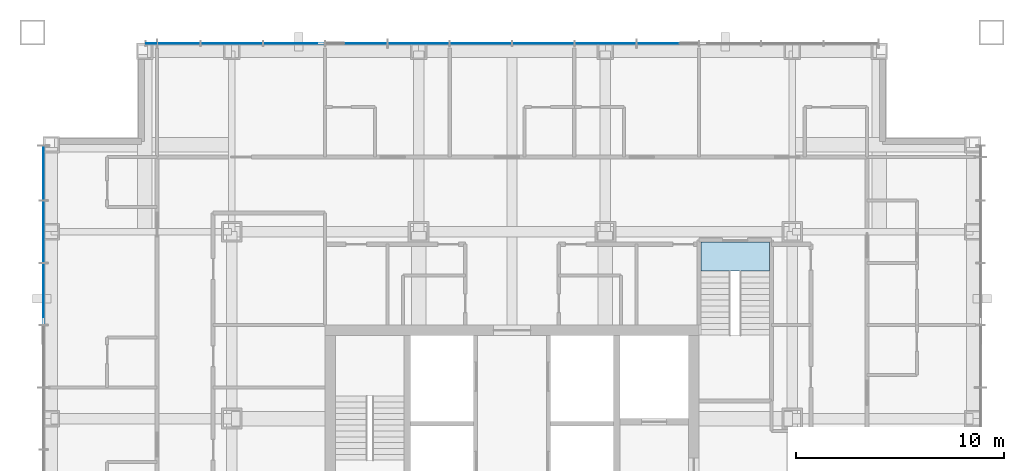
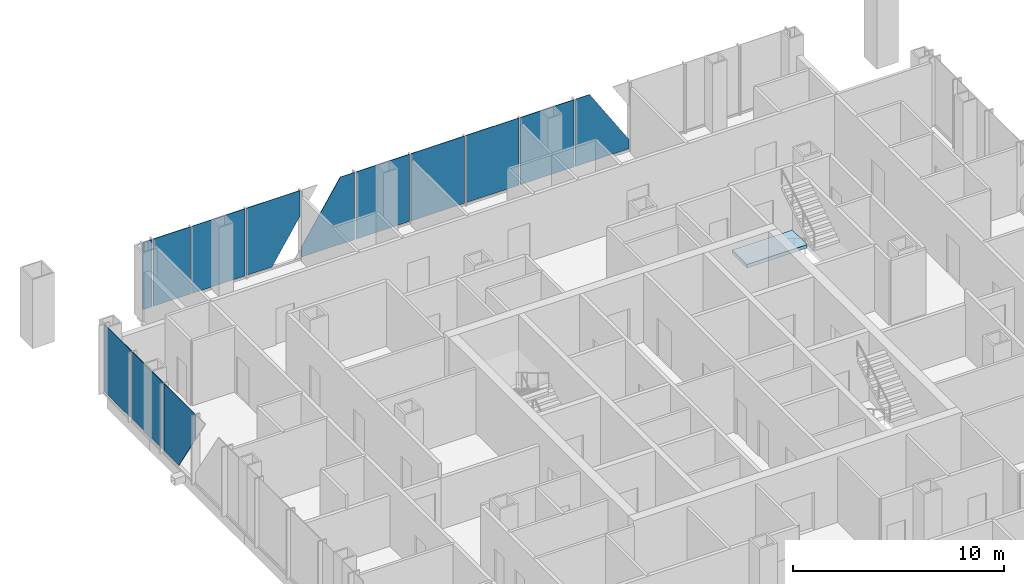
# One storey, part 9 of 21: 13 plates, 1 slab, 3 elements without a shape of their own.
"""IFC4 building model written with IfcOpenShell, lengths in metres."""

from ifc_helpers import new_model, si_unit, direction, frame, origin, origin_2d, place, context, subcontext, project, spatial, polyline, rectangle, outline, extrude, material, layer, layer_set, type_object, element, aggregate, save


model = new_model("IFC4")

# Units and contexts
model_context = context("Model", 3, precision=1e-05, world=origin(), true_north=direction((0.0, 1.0)))
body_context = subcontext(model_context, "Body", "Model", "MODEL_VIEW")
ifc_project = project(units=[si_unit("LENGTHUNIT", "METRE"), si_unit("AREAUNIT", "SQUARE_METRE"), si_unit("VOLUMEUNIT", "CUBIC_METRE"), si_unit("PLANEANGLEUNIT", "RADIAN"), si_unit("MASSUNIT", "GRAM", prefix="KILO")], contexts=[model_context])

# Site, building, storey
site_placement = place(None, origin())
site = spatial("IfcSite", under=ifc_project, at=site_placement, CompositionType="ELEMENT")
building_placement = place(site_placement, origin())
building = spatial("IfcBuilding", under=site, at=building_placement, Name="Malebo Sky Hospital", CompositionType="ELEMENT")
storey_placement = place(building_placement, frame((0.0, 0.0, 229.0)))
storey = spatial("IfcBuildingStorey", under=building, at=storey_placement, Name="L55", CompositionType="ELEMENT", Elevation=229.0)

# Stair, slab
ifc_material_1 = material(Name="Concrete C40/50", Category="concrete")
stair_type = type_object("IfcStairType", Name="HALF-TURN STAIR 1400 R167", PredefinedType="HALF_TURN_STAIR", material=ifc_material_1)
stair_placement = place(storey_placement, origin())
stair = element("IfcStair", 1, at=stair_placement, inside=storey, type_object=stair_type, Name="Stair S3 L55 type ST1B", PredefinedType="HALF_TURN_STAIR")
ifc_layer_1 = layer(ifc_material_1, 0.199951171875)
ifc_layer_set_1 = layer_set([ifc_layer_1], Name="STAIR LANDING 200")
slab_type = type_object("IfcSlabType", Name="STAIR LANDING 200", PredefinedType="LANDING", material=ifc_layer_set_1)
slab_placement = place(storey_placement, frame((0.0, 0.0, -0.199951171875)))
slab = element("IfcSlab", 2, at=slab_placement, type_object=slab_type, Name="S3 landing 1", PredefinedType="LANDING", context=body_context, shape_type="SweptSolid", body=[
    extrude(outline(polyline([(69.10009765625, 73.60009765625), (72.39990234375, 73.60009765625), (72.39990234375, 75.0), (69.10009765625, 75.0), (69.10009765625, 73.60009765625)])), origin(), (0.0, 0.0, 1.0), 0.199951171875),
])
aggregate(stair, [slab])

# Curtain wall, plates
ifc_material_2 = material(Name="Anodised aluminium, natural silver", Category="aluminium")
ifc_layer_2 = layer(ifc_material_2, 0.25)
ifc_layer_set_2 = layer_set([ifc_layer_2], Name="WARD CURTAIN WALL NORTH AND SOUTH")
curtain_wall_type_1 = type_object("IfcCurtainWallType", Name="WARD CURTAIN WALL NORTH AND SOUTH", PredefinedType="NOTDEFINED", material=ifc_layer_set_2)
curtain_wall_1_placement = place(storey_placement, origin())
curtain_wall_1 = element("IfcCurtainWall", 3, at=curtain_wall_1_placement, inside=storey, type_object=curtain_wall_type_1, Name="NS curtain wall N", PredefinedType="NOTDEFINED")
ifc_material_3 = material(Name="Clear low-iron double glazing", Category="glass")
ifc_layer_3 = layer(ifc_material_3, 0.031982421875)
ifc_layer_set_3 = layer_set([ifc_layer_3], Name="VISION PANEL CLEAR 32")
plate_type = type_object("IfcPlateType", Name="VISION PANEL CLEAR 32", PredefinedType="CURTAIN_PANEL", material=ifc_layer_set_3)
plate_1_placement = place(storey_placement, frame((42.61865234375, 84.574951171875, 0.10009765625), z_axis=(0.0, 0.0, 1.0), x_axis=(1.0, 0.0, 0.0)))
plate_1 = element("IfcPlate", 4, at=plate_1_placement, type_object=plate_type, Name="Panel 1", PredefinedType="CURTAIN_PANEL", context=body_context, shape_type="SweptSolid", body=[
    extrude(rectangle(XDim=0.487548828125, YDim=0.031982421875, at=origin_2d()), origin(), (0.0, 0.0, 1.0), 3.889892578125),
])
plate_2_placement = place(storey_placement, frame((43.949951171875, 84.574951171875, 0.10009765625), z_axis=(0.0, 0.0, 1.0), x_axis=(1.0, 0.0, 0.0)))
plate_2 = element("IfcPlate", 5, at=plate_2_placement, type_object=plate_type, Name="Panel 2", PredefinedType="CURTAIN_PANEL", context=body_context, shape_type="SweptSolid", body=[
    extrude(rectangle(XDim=2.02490234375, YDim=0.031982421875, at=origin_2d()), origin(), (0.0, 0.0, 1.0), 3.889892578125),
])
plate_3_placement = place(storey_placement, frame((46.5, 84.574951171875, 0.10009765625), z_axis=(0.0, 0.0, 1.0), x_axis=(1.0, 0.0, 0.0)))
plate_3 = element("IfcPlate", 6, at=plate_3_placement, type_object=plate_type, Name="Panel 3", PredefinedType="CURTAIN_PANEL", context=body_context, shape_type="SweptSolid", body=[
    extrude(rectangle(XDim=2.925048828125, YDim=0.031982421875, at=origin_2d()), origin(), (0.0, 0.0, 1.0), 3.889892578125),
])
plate_4_placement = place(storey_placement, frame((49.5, 84.574951171875, 0.10009765625), z_axis=(0.0, 0.0, 1.0), x_axis=(1.0, 0.0, 0.0)))
plate_4 = element("IfcPlate", 7, at=plate_4_placement, type_object=plate_type, Name="Panel 4", PredefinedType="CURTAIN_PANEL", context=body_context, shape_type="SweptSolid", body=[
    extrude(outline(polyline([(-1.46240234375, 0.0), (-0.0703125, 0.0), (1.46240234375, 2.388916015625), (1.46240234375, 3.889892578125), (-1.46240234375, 3.889892578125), (-1.46240234375, 0.0)])), frame((0.0, 0.01611328125, 0.0), z_axis=(0.0, -1.0, 0.0), x_axis=(1.0, 0.0, 0.0)), (0.0, 0.0, 1.0), 0.031982421875),
])
plate_5_placement = place(storey_placement, frame((52.5, 84.574951171875, 0.10009765625), z_axis=(0.0, 0.0, 1.0), x_axis=(1.0, 0.0, 0.0)))
plate_5 = element("IfcPlate", 8, at=plate_5_placement, type_object=plate_type, Name="Panel 5", PredefinedType="CURTAIN_PANEL", context=body_context, shape_type="SweptSolid", body=[
    extrude(outline(polyline([(-1.46240234375, 0.0), (1.46240234375, 0.0), (1.46240234375, 3.889892578125), (0.674560546875, 3.889892578125), (-1.46240234375, 0.5595703125), (-1.46240234375, 0.0)])), frame((0.0, 0.01611328125, 0.0), z_axis=(0.0, -1.0, 0.0), x_axis=(1.0, 0.0, 0.0)), (0.0, 0.0, 1.0), 0.031982421875),
])
plate_6_placement = place(storey_placement, frame((55.5, 84.574951171875, 0.10009765625), z_axis=(0.0, 0.0, 1.0), x_axis=(1.0, 0.0, 0.0)))
plate_6 = element("IfcPlate", 9, at=plate_6_placement, type_object=plate_type, Name="Panel 6", PredefinedType="CURTAIN_PANEL", context=body_context, shape_type="SweptSolid", body=[
    extrude(rectangle(XDim=2.925048828125, YDim=0.031982421875, at=origin_2d()), origin(), (0.0, 0.0, 1.0), 3.889892578125),
])
plate_7_placement = place(storey_placement, frame((58.5, 84.574951171875, 0.10009765625), z_axis=(0.0, 0.0, 1.0), x_axis=(1.0, 0.0, 0.0)))
plate_7 = element("IfcPlate", 10, at=plate_7_placement, type_object=plate_type, Name="Panel 7", PredefinedType="CURTAIN_PANEL", context=body_context, shape_type="SweptSolid", body=[
    extrude(rectangle(XDim=2.925048828125, YDim=0.031982421875, at=origin_2d()), origin(), (0.0, 0.0, 1.0), 3.889892578125),
])
plate_8_placement = place(storey_placement, frame((61.5, 84.574951171875, 0.10009765625), z_axis=(0.0, 0.0, 1.0), x_axis=(1.0, 0.0, 0.0)))
plate_8 = element("IfcPlate", 11, at=plate_8_placement, type_object=plate_type, Name="Panel 8", PredefinedType="CURTAIN_PANEL", context=body_context, shape_type="SweptSolid", body=[
    extrude(rectangle(XDim=2.925048828125, YDim=0.031982421875, at=origin_2d()), origin(), (0.0, 0.0, 1.0), 3.889892578125),
])
plate_9_placement = place(storey_placement, frame((64.5, 84.574951171875, 0.10009765625), z_axis=(0.0, 0.0, 1.0), x_axis=(1.0, 0.0, 0.0)))
plate_9 = element("IfcPlate", 12, at=plate_9_placement, type_object=plate_type, Name="Panel 9", PredefinedType="CURTAIN_PANEL", context=body_context, shape_type="SweptSolid", body=[
    extrude(rectangle(XDim=2.925048828125, YDim=0.031982421875, at=origin_2d()), origin(), (0.0, 0.0, 1.0), 3.889892578125),
])
plate_10_placement = place(storey_placement, frame((67.5, 84.574951171875, 0.10009765625), z_axis=(0.0, 0.0, 1.0), x_axis=(1.0, 0.0, 0.0)))
plate_10 = element("IfcPlate", 13, at=plate_10_placement, type_object=plate_type, Name="Panel 10", PredefinedType="CURTAIN_PANEL", context=body_context, shape_type="SweptSolid", body=[
    extrude(outline(polyline([(-1.46240234375, 0.0), (1.46240234375, 0.0), (1.46240234375, 0.5595703125), (-0.674560546875, 3.889892578125), (-1.46240234375, 3.889892578125), (-1.46240234375, 0.0)])), frame((0.0, 0.01611328125, 0.0), z_axis=(0.0, -1.0, 0.0), x_axis=(1.0, 0.0, 0.0)), (0.0, 0.0, 1.0), 0.031982421875),
])
aggregate(curtain_wall_1, [plate_1, plate_2, plate_3, plate_4, plate_5, plate_6, plate_7, plate_8, plate_9, plate_10])

ifc_layer_4 = layer(ifc_material_2, 0.25)
ifc_layer_set_4 = layer_set([ifc_layer_4], Name="WARD CURTAIN WALL EAST AND WEST")
curtain_wall_type_2 = type_object("IfcCurtainWallType", Name="WARD CURTAIN WALL EAST AND WEST", PredefinedType="NOTDEFINED", material=ifc_layer_set_4)
curtain_wall_2_placement = place(storey_placement, origin())
curtain_wall_2 = element("IfcCurtainWall", 14, at=curtain_wall_2_placement, inside=storey, type_object=curtain_wall_type_2, Name="EW curtain wall W", PredefinedType="NOTDEFINED")
plate_11_placement = place(storey_placement, frame((37.425048828125, 72.5, 0.10009765625), z_axis=(0.0, 0.0, 1.0), x_axis=(0.0, 1.0, 0.0)))
plate_11 = element("IfcPlate", 15, at=plate_11_placement, type_object=plate_type, Name="Panel 11", PredefinedType="CURTAIN_PANEL", context=body_context, shape_type="SweptSolid", body=[
    extrude(outline(polyline([(0.0703125, 0.0), (1.46240234375, 0.0), (1.46240234375, 3.889892578125), (-1.46240234375, 3.889892578125), (-1.46240234375, 2.388916015625), (0.0703125, 0.0)])), frame((0.0, 0.01611328125, 0.0), z_axis=(0.0, -1.0, 0.0), x_axis=(1.0, 0.0, 0.0)), (0.0, 0.0, 1.0), 0.031982421875),
])
plate_12_placement = place(storey_placement, frame((37.425048828125, 75.5, 0.10009765625), z_axis=(0.0, 0.0, 1.0), x_axis=(0.0, 1.0, 0.0)))
plate_12 = element("IfcPlate", 16, at=plate_12_placement, type_object=plate_type, Name="Panel 12", PredefinedType="CURTAIN_PANEL", context=body_context, shape_type="SweptSolid", body=[
    extrude(rectangle(XDim=2.925048828125, YDim=0.031982421875, at=origin_2d()), origin(), (0.0, 0.0, 1.0), 3.889892578125),
])
plate_13_placement = place(storey_placement, frame((37.425048828125, 78.331298828125, 0.10009765625), z_axis=(0.0, 0.0, 1.0), x_axis=(0.0, 1.0, 0.0)))
plate_13 = element("IfcPlate", 17, at=plate_13_placement, type_object=plate_type, Name="Panel 13", PredefinedType="CURTAIN_PANEL", context=body_context, shape_type="SweptSolid", body=[
    extrude(rectangle(XDim=2.58740234375, YDim=0.031982421875, at=origin_2d()), origin(), (0.0, 0.0, 1.0), 3.889892578125),
])
aggregate(curtain_wall_2, [plate_11, plate_12, plate_13])

save(model, "model.ifc")
